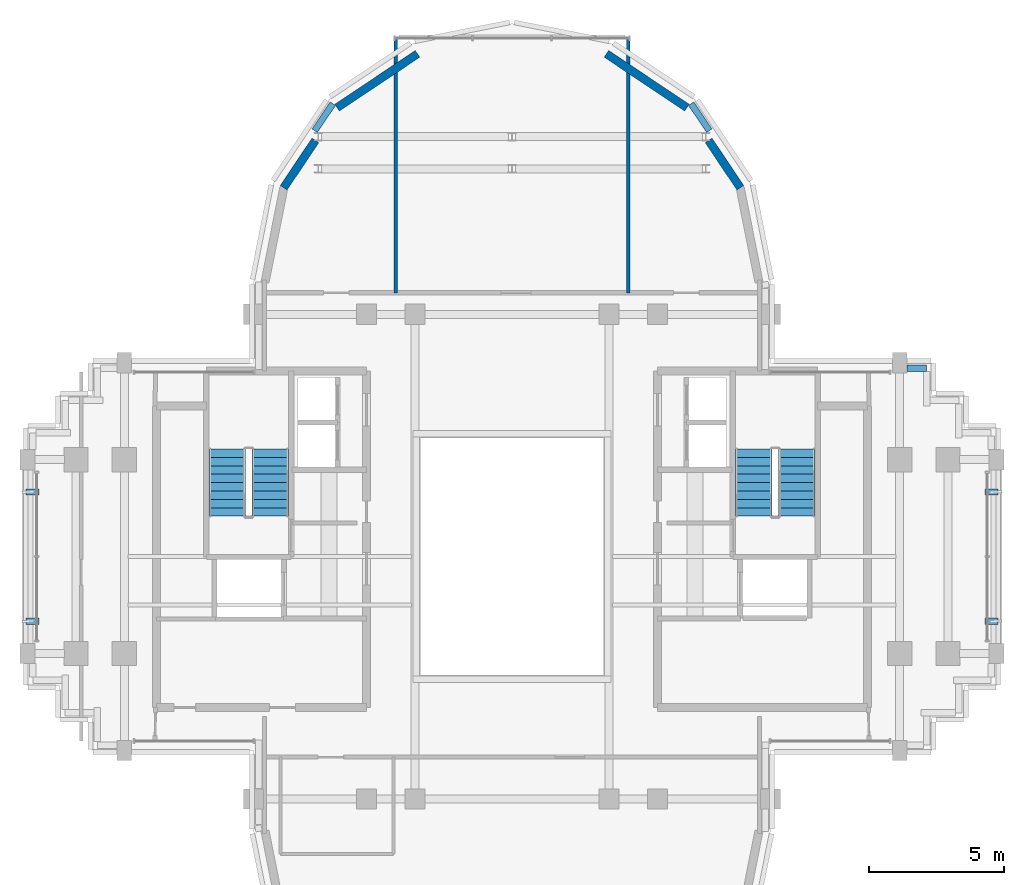
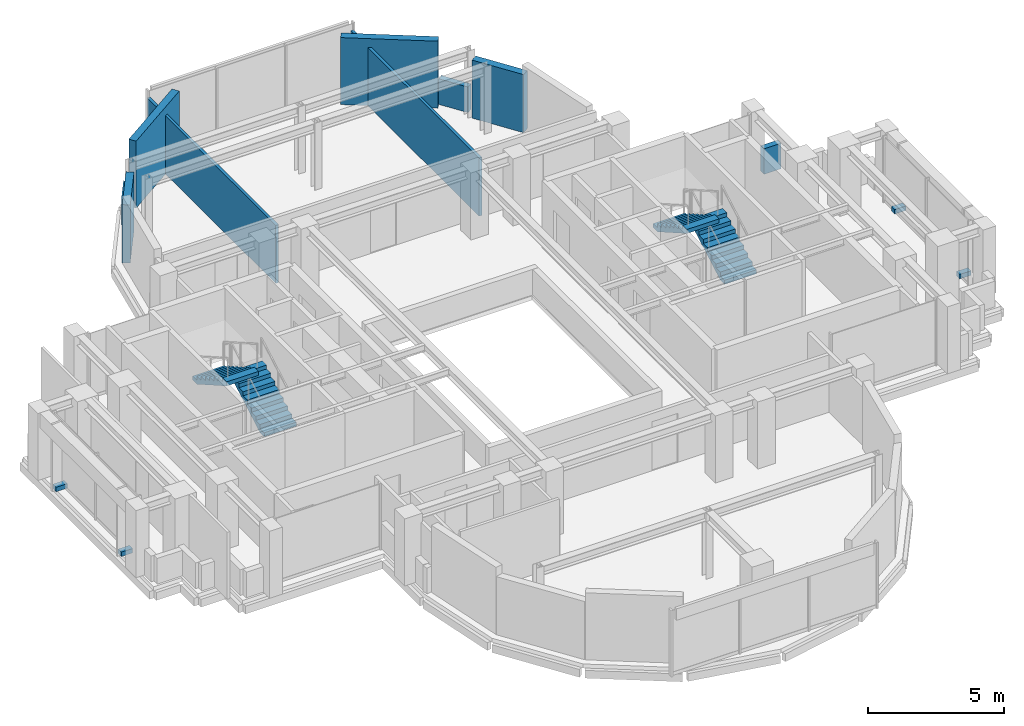
# One storey, part 10 of 12: 9 walls, 4 discrete accessories, 4 stair flights, 2 elements without a shape of their own.
"""IFC4 building model written with IfcOpenShell, lengths in metres."""

from ifc_helpers import new_model, si_unit, direction, frame, frame_2d, origin, origin_2d, place, context, subcontext, project, spatial, polyline, rectangle, outline, extrude, source, transform, mapped, material, layer, layer_set, type_object, element, aggregate, save


model = new_model("IFC4")

# Units and contexts
model_context = context("Model", 3, precision=1e-05, world=origin(), true_north=direction((0.0, 1.0)))
body_context = subcontext(model_context, "Body", "Model", "MODEL_VIEW")
ifc_project = project(units=[si_unit("LENGTHUNIT", "METRE"), si_unit("AREAUNIT", "SQUARE_METRE"), si_unit("VOLUMEUNIT", "CUBIC_METRE"), si_unit("PLANEANGLEUNIT", "RADIAN"), si_unit("MASSUNIT", "GRAM", prefix="KILO")], contexts=[model_context])

# Site, building, storey
site_placement = place(None, origin())
site = spatial("IfcSite", under=ifc_project, at=site_placement, CompositionType="ELEMENT")
building_placement = place(site_placement, origin())
building = spatial("IfcBuilding", under=site, at=building_placement, Name="Keilestroom Media Tower", CompositionType="ELEMENT")
storey_placement = place(building_placement, frame((0.0, 0.0, 246.0)))
storey = spatial("IfcBuildingStorey", under=building, at=storey_placement, Name="L68", CompositionType="ELEMENT", Elevation=246.0)

# Walls
ifc_material_1 = material(Name="Precast concrete C40/50", Category="concrete")
ifc_layer_1 = layer(ifc_material_1, 0.300048828125)
ifc_layer_set_1 = layer_set([ifc_layer_1], Name="Precast concrete C40/50")
wall_type_1 = type_object("IfcWallType", Name="Exterior-Masonry-Spandrel-Wall-300", PredefinedType="SOLIDWALL", material=ifc_layer_set_1)
wall_1_placement = place(storey_placement, frame((8.48193359375, 13.697509765625, 0.0), z_axis=(0.0, 0.0, 1.0), x_axis=(-0.555604299396, 0.831446848868, 0.0)))
element("IfcWall", 1, at=wall_1_placement, inside=storey, type_object=wall_type_1, Name="L68 Lobe Facet Precast Frame Wall 02", PredefinedType="SOLIDWALL", context=body_context, shape_type="SweptSolid", body=[
    extrude(rectangle(XDim=2.117919921875, YDim=0.300048828125, at=frame_2d((1.05908203125, 0.0))), origin(), (0.0, 0.0, 1.0), 2.610107421875),
])
for number, where, z_axis, x_axis, name in (
    (2, (6.497802734375, 16.677001953125, 0.0), (0.0, 0.0, 1.0), (-0.831443568068, 0.555609208993, 0.0), "L68 Lobe Facet Precast Frame Wall 03"),
    (3, (-3.510009765625, 18.673583984375, 0.0), (0.0, 0.0, 1.0), (-0.831443568068, -0.555609208993, 0.0), "L68 Lobe Facet Precast Frame Wall 04"),
):
    element("IfcWall", number, at=place(storey_placement, frame(where, z_axis=z_axis, x_axis=x_axis)), inside=storey, type_object=wall_type_1, Name=name, PredefinedType="SOLIDWALL", context=body_context, shape_type="SweptSolid", body=[
        extrude(rectangle(XDim=3.593505859375, YDim=0.300048828125, at=frame_2d((1.796875, 0.0))), origin(), (0.0, 0.0, 1.0), 3.010009765625),
    ])
wall_2_placement = place(storey_placement, frame((-7.30517578125, 15.45849609375, 0.0), z_axis=(0.0, 0.0, 1.0), x_axis=(-0.555604299396, -0.831446848868, 0.0)))
element("IfcWall", 4, at=wall_2_placement, inside=storey, type_object=wall_type_1, Name="L68 Lobe Facet Precast Frame Wall 05", PredefinedType="SOLIDWALL", context=body_context, shape_type="SweptSolid", body=[
    extrude(rectangle(XDim=2.117919921875, YDim=0.300048828125, at=frame_2d((1.05908203125, 0.0))), origin(), (0.0, 0.0, 1.0), 2.610107421875),
])
ifc_material_2 = material(Name="Gypsum Plasterboard & Steel Stud", Category="steel")
ifc_layer_2 = layer(ifc_material_2, 0.1201171875)
ifc_layer_set_2 = layer_set([ifc_layer_2], Name="Gypsum Plasterboard & Steel Stud")
wall_type_2 = type_object("IfcWallType", Name="Interior-Partition-Wall-120", PredefinedType="PARTITIONING", material=ifc_layer_set_2)
for number, where, z_axis, x_axis, name in (
    (5, (-4.320068359375, 9.800048828125, 0.0), (0.0, 0.0, 1.0), (0.0, 1.0, 0.0), "L68 Interior Wall WP-L68-NL-VW"),
    (6, (4.320068359375, 9.800048828125, 0.0), (0.0, 0.0, 1.0), (0.0, 1.0, 0.0), "L68 Interior Wall WP-L68-NL-VE"),
):
    element("IfcWall", number, at=place(storey_placement, frame(where, z_axis=z_axis, x_axis=x_axis)), inside=storey, type_object=wall_type_2, Name=name, PredefinedType="PARTITIONING", context=body_context, shape_type="SweptSolid", body=[
        extrude(rectangle(XDim=9.449951171875, YDim=0.1201171875, at=frame_2d((4.72509765625, 0.0))), origin(), (0.0, 0.0, 1.0), 2.610107421875),
    ])
ifc_layer_3 = layer(ifc_material_1, 0.239990234375)
ifc_layer_set_3 = layer_set([ifc_layer_3], Name="Precast concrete C40/50")
wall_type_3 = type_object("IfcWallType", Name="Roof-And-Terrace-Parapet-Wall-240", PredefinedType="PARAPET", material=ifc_layer_set_3)
for number, where, z_axis, x_axis, name in (
    (7, (-7.328125, 15.8203125, 0.0), (0.0, 0.0, 1.0), (0.555585388542, 0.831459485506, 0.0), "L68 Perimeter Edge Parapet Wall 28"),
    (8, (6.656494140625, 16.825439453125, 0.0), (0.0, 0.0, 1.0), (0.555585388542, -0.831459485506, 0.0), "L68 Perimeter Edge Parapet Wall 29"),
):
    element("IfcWall", number, at=place(storey_placement, frame(where, z_axis=z_axis, x_axis=x_axis)), inside=storey, type_object=wall_type_3, Name=name, PredefinedType="PARAPET", context=body_context, shape_type="SweptSolid", body=[
        extrude(rectangle(XDim=1.208984375, YDim=0.239990234375, at=frame_2d((0.6044921875, 0.0))), origin(), (0.0, 0.0, 1.0), 1.14990234375),
    ])
wall_3_placement = place(storey_placement, frame((14.677978515625, 7.0, 0.0), z_axis=(0.0, 0.0, 1.0), x_axis=(1.0, 0.0, 0.0)))
element("IfcWall", 9, at=wall_3_placement, inside=storey, type_object=wall_type_3, Name="L68 Perimeter Edge Parapet Wall 33", PredefinedType="PARAPET", context=body_context, shape_type="SweptSolid", body=[
    extrude(rectangle(XDim=0.721923828125, YDim=0.239990234375, at=frame_2d((0.36083984375, 0.0))), origin(), (0.0, 0.0, 1.0), 1.14990234375),
])

# Stair, stair flights
ifc_material_3 = material(Name="Concrete C45/55", Category="concrete")
stair_type = type_object("IfcStairType", Name="Enclosed-Dog-Leg-Stair-ST-CORE", PredefinedType="HALF_TURN_STAIR", material=ifc_material_3)
stair_1_placement = place(storey_placement, origin())
stair_1 = element("IfcStair", 10, at=stair_1_placement, inside=storey, type_object=stair_type, Name="L68 West Core Escape Stair ST-1", PredefinedType="HALF_TURN_STAIR")
stair_flight_type = type_object("IfcStairFlightType", Name="Precast-Concrete-Stair-Flight-Core-160", PredefinedType="STRAIGHT", material=ifc_material_1)
stair_flight_1_placement = place(storey_placement, frame((-8.97998046875, 1.5, 0.0), z_axis=(0.0, 0.0, 1.0), x_axis=(0.0, 1.0, 0.0)))
stair_flight_1 = element("IfcStairFlight", 11, at=stair_flight_1_placement, type_object=stair_flight_type, Name="ST-1 flight 1", NumberOfRisers=9, NumberOfTreads=8, PredefinedType="STRAIGHT", RiserHeight=0.177777778, TreadLength=0.312, context=body_context, shape_type="SweptSolid", body=[
    extrude(outline(polyline([(0.0, 0.0), (0.0, 0.177734375), (0.31201171875, 0.177734375), (0.31201171875, 0.35546875), (0.6240234375, 0.35546875), (0.6240234375, 0.533447265625), (0.93603515625, 0.533447265625), (0.93603515625, 0.711181640625), (1.248046875, 0.711181640625), (1.248046875, 0.888916015625), (1.56005859375, 0.888916015625), (1.56005859375, 1.066650390625), (1.8720703125, 1.066650390625), (1.8720703125, 1.244384765625), (2.18408203125, 1.244384765625), (2.18408203125, 1.422119140625), (2.49609375, 1.422119140625), (2.49609375, 1.60009765625), (2.49609375, 1.23828125), (0.322998046875, 0.0), (0.0, 0.0)])), frame((0.0, 0.68017578125, 0.0), z_axis=(0.0, -1.0, 0.0), x_axis=(1.0, 0.0, 0.0)), (0.0, 0.0, 1.0), 1.360107421875),
])
stair_flight_2_placement = place(storey_placement, frame((-10.580078125, 3.99609375, 1.60009765625), z_axis=(0.0, 0.0, 1.0), x_axis=(0.0, -1.0, 0.0)))
stair_flight_2 = element("IfcStairFlight", 12, at=stair_flight_2_placement, type_object=stair_flight_type, Name="ST-1 flight 2", NumberOfRisers=9, NumberOfTreads=8, PredefinedType="STRAIGHT", RiserHeight=0.177777778, TreadLength=0.312, context=body_context, shape_type="SweptSolid", body=[
    extrude(outline(polyline([(0.0, 0.0), (0.0, 0.177734375), (0.31201171875, 0.177734375), (0.31201171875, 0.35546875), (0.6240234375, 0.35546875), (0.6240234375, 0.533447265625), (0.93603515625, 0.533447265625), (0.93603515625, 0.711181640625), (1.248046875, 0.711181640625), (1.248046875, 0.888916015625), (1.56005859375, 0.888916015625), (1.56005859375, 1.066650390625), (1.8720703125, 1.066650390625), (1.8720703125, 1.244384765625), (2.18408203125, 1.244384765625), (2.18408203125, 1.422119140625), (2.49609375, 1.422119140625), (2.49609375, 1.60009765625), (2.49609375, 1.23828125), (0.322998046875, 0.0), (0.0, 0.0)])), frame((0.0, 0.68017578125, 0.0), z_axis=(0.0, -1.0, 0.0), x_axis=(1.0, 0.0, 0.0)), (0.0, 0.0, 1.0), 1.360107421875),
])
aggregate(stair_1, [stair_flight_1, stair_flight_2])

stair_2_placement = place(storey_placement, origin())
stair_2 = element("IfcStair", 13, at=stair_2_placement, inside=storey, type_object=stair_type, Name="L68 East Core Escape Stair ST-2", PredefinedType="HALF_TURN_STAIR")
stair_flight_3_placement = place(storey_placement, frame((10.580078125, 1.5, 0.0), z_axis=(0.0, 0.0, 1.0), x_axis=(0.0, 1.0, 0.0)))
stair_flight_3 = element("IfcStairFlight", 14, at=stair_flight_3_placement, type_object=stair_flight_type, Name="ST-2 flight 1", NumberOfRisers=9, NumberOfTreads=8, PredefinedType="STRAIGHT", RiserHeight=0.177777778, TreadLength=0.312, context=body_context, shape_type="SweptSolid", body=[
    extrude(outline(polyline([(0.0, 0.0), (0.0, 0.177734375), (0.31201171875, 0.177734375), (0.31201171875, 0.35546875), (0.6240234375, 0.35546875), (0.6240234375, 0.533447265625), (0.93603515625, 0.533447265625), (0.93603515625, 0.711181640625), (1.248046875, 0.711181640625), (1.248046875, 0.888916015625), (1.56005859375, 0.888916015625), (1.56005859375, 1.066650390625), (1.8720703125, 1.066650390625), (1.8720703125, 1.244384765625), (2.18408203125, 1.244384765625), (2.18408203125, 1.422119140625), (2.49609375, 1.422119140625), (2.49609375, 1.60009765625), (2.49609375, 1.23828125), (0.322998046875, 0.0), (0.0, 0.0)])), frame((0.0, 0.68017578125, 0.0), z_axis=(0.0, -1.0, 0.0), x_axis=(1.0, 0.0, 0.0)), (0.0, 0.0, 1.0), 1.360107421875),
])
stair_flight_4_placement = place(storey_placement, frame((8.97998046875, 3.99609375, 1.60009765625), z_axis=(0.0, 0.0, 1.0), x_axis=(0.0, -1.0, 0.0)))
stair_flight_4 = element("IfcStairFlight", 15, at=stair_flight_4_placement, type_object=stair_flight_type, Name="ST-2 flight 2", NumberOfRisers=9, NumberOfTreads=8, PredefinedType="STRAIGHT", RiserHeight=0.177777778, TreadLength=0.312, context=body_context, shape_type="SweptSolid", body=[
    extrude(outline(polyline([(0.0, 0.0), (0.0, 0.177734375), (0.31201171875, 0.177734375), (0.31201171875, 0.35546875), (0.6240234375, 0.35546875), (0.6240234375, 0.533447265625), (0.93603515625, 0.533447265625), (0.93603515625, 0.711181640625), (1.248046875, 0.711181640625), (1.248046875, 0.888916015625), (1.56005859375, 0.888916015625), (1.56005859375, 1.066650390625), (1.8720703125, 1.066650390625), (1.8720703125, 1.244384765625), (2.18408203125, 1.244384765625), (2.18408203125, 1.422119140625), (2.49609375, 1.422119140625), (2.49609375, 1.60009765625), (2.49609375, 1.23828125), (0.322998046875, 0.0), (0.0, 0.0)])), frame((0.0, 0.68017578125, 0.0), z_axis=(0.0, -1.0, 0.0), x_axis=(1.0, 0.0, 0.0)), (0.0, 0.0, 1.0), 1.360107421875),
])
aggregate(stair_2, [stair_flight_3, stair_flight_4])

# Discrete accessories
ifc_material_4 = material(Name="Stainless Steel 1.4401", Category="steel")
discrete_accessory_type = type_object("IfcDiscreteAccessoryType", Name="Facade-Fin-Fixing-Bracket-BRK-1", PredefinedType="BRACKET", material=ifc_material_4)
shared_shape = source(origin(), body_context, "Body", "SweptSolid", [
    extrude(rectangle(XDim=0.47998046875, YDim=0.239990234375, at=origin_2d()), origin(), (0.0, 0.0, 1.0), 0.199951171875),
])
for number, where, z_axis, x_axis, name in (
    (16, (-17.81005859375, -2.39990234375, -0.009765625), (0.0, 0.0, 1.0), (1.0, 0.0, 0.0), "L68 Sunshade Fin Bracket BRK-1 105"),
    (17, (-17.81005859375, 2.39990234375, -0.009765625), (0.0, 0.0, 1.0), (1.0, 0.0, 0.0), "L68 Sunshade Fin Bracket BRK-1 106"),
    (18, (17.81005859375, -2.39990234375, -0.009765625), (0.0, 0.0, 1.0), (1.0, 0.0, 0.0), "L68 Sunshade Fin Bracket BRK-1 107"),
    (19, (17.81005859375, 2.39990234375, -0.009765625), (0.0, 0.0, 1.0), (1.0, 0.0, 0.0), "L68 Sunshade Fin Bracket BRK-1 108"),
):
    element("IfcDiscreteAccessory", number, at=place(storey_placement, frame(where, z_axis=z_axis, x_axis=x_axis)), inside=storey, type_object=discrete_accessory_type, Name=name, PredefinedType="BRACKET", context=body_context, shape_type="MappedRepresentation", body=[
        mapped(shared_shape, transform((0.0, 0.0, 0.0), x_axis=(1.0, 0.0, 0.0), y_axis=(0.0, 1.0, 0.0), z_axis=(0.0, 0.0, 1.0), scale=1.0)),
    ])

save(model, "model.ifc")
